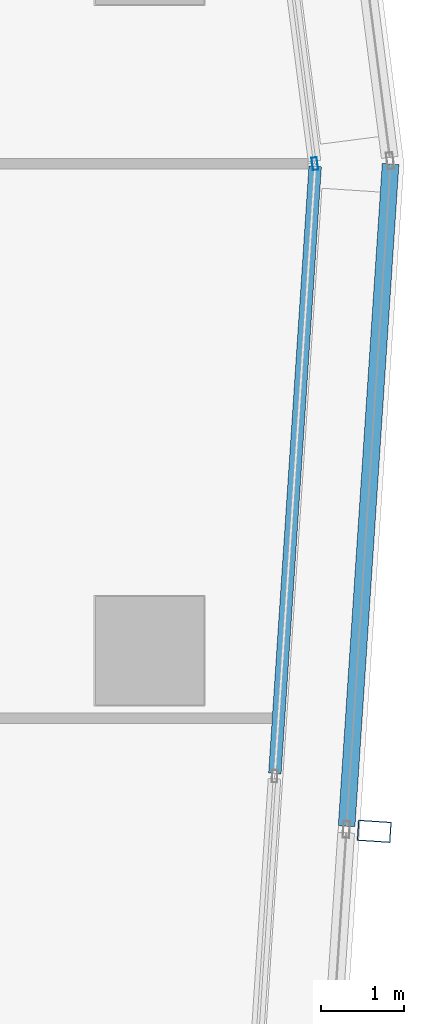
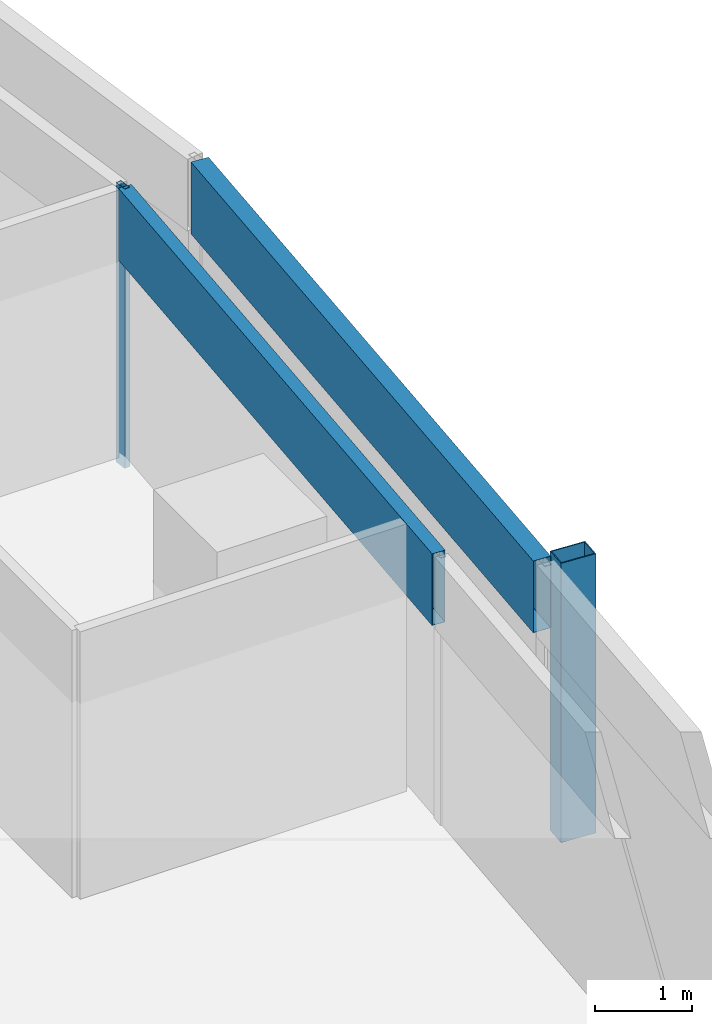
# One storey, part 13 of 30: 4 members, 3 elements without a shape of their own.
"""IFC4 building model written with IfcOpenShell, lengths in metres."""

from ifc_helpers import new_model, si_unit, direction, frame, origin, origin_2d, place, context, subcontext, project, spatial, hollow_rectangle, extrude, material, material_profile, profile_set, type_object, element, aggregate, save


model = new_model("IFC4")

# Units and contexts
model_context = context("Model", 3, precision=1e-05, world=origin(), true_north=direction((0.0, 1.0)))
body_context = subcontext(model_context, "Body", "Model", "MODEL_VIEW")
ifc_project = project(units=[si_unit("LENGTHUNIT", "METRE"), si_unit("AREAUNIT", "SQUARE_METRE"), si_unit("VOLUMEUNIT", "CUBIC_METRE"), si_unit("PLANEANGLEUNIT", "RADIAN"), si_unit("MASSUNIT", "GRAM", prefix="KILO")], contexts=[model_context])

# Site, building, storey
site_placement = place(None, origin())
site = spatial("IfcSite", under=ifc_project, at=site_placement, CompositionType="ELEMENT")
building_placement = place(site_placement, origin())
building = spatial("IfcBuilding", under=site, at=building_placement, Name="Rekha Terrace Tower", CompositionType="ELEMENT")
storey_placement = place(building_placement, frame((0.0, 0.0, 272.60009765625)))
storey = spatial("IfcBuildingStorey", under=building, at=storey_placement, Name="L69", CompositionType="ELEMENT", Elevation=272.60009765625)

# Curtain wall, member
ifc_material_1 = material(Name="Aluminium framing", Category="aluminium")
curtain_wall_type_1 = type_object("IfcCurtainWallType", Name="CW2 double skin outer glazing", PredefinedType="USERDEFINED", material=ifc_material_1)
curtain_wall_1_placement = place(storey_placement, origin())
curtain_wall_1 = element("IfcCurtainWall", 1, at=curtain_wall_1_placement, inside=storey, type_object=curtain_wall_type_1, Name="CW2 double skin outer glazing", ObjectType="DOUBLE SKIN OUTER GLAZING", PredefinedType="USERDEFINED")
ifc_material_2 = material(Name="Steel S355 with fluorocarbon finish", Category="steel")
ifc_material_profile_1 = material_profile(ifc_material_2, hollow_rectangle(XDim=0.25, YDim=0.39990234375, WallThickness=0.012451171875, at=origin_2d()), Name="RHS400x250x12.5")
ifc_profile_set_1 = profile_set([ifc_material_profile_1], Name="Steel S355 with fluorocarbon finish")
member_type_1 = type_object("IfcMemberType", Name="BL1 facade blade RHS 400 x 250", PredefinedType="USERDEFINED", material=ifc_profile_set_1)
member_1_placement = place(storey_placement, frame((61.49365234375, 31.435302734375, 0.0), z_axis=(0.0, 0.0, 1.0), x_axis=(0.066272158908, 0.99780158396, 0.0)))
member_1 = element("IfcMember", 2, at=member_1_placement, type_object=member_type_1, Name="Facade blade", ObjectType="FACADE BLADE", PredefinedType="USERDEFINED", context=body_context, shape_type="SweptSolid", body=[
    extrude(hollow_rectangle(XDim=0.25, YDim=0.39990234375, WallThickness=0.012451171875, at=origin_2d()), origin(), (0.0, 0.0, 1.0), 3.5),
])

curtain_wall_type_2 = type_object("IfcCurtainWallType", Name="CW1 double skin inner glazing", PredefinedType="USERDEFINED", material=ifc_material_1)
curtain_wall_2_placement = place(storey_placement, origin())
curtain_wall_2 = element("IfcCurtainWall", 3, at=curtain_wall_2_placement, inside=storey, type_object=curtain_wall_type_2, Name="CW1 double skin inner glazing", ObjectType="DOUBLE SKIN INNER GLAZING", PredefinedType="USERDEFINED")
ifc_material_3 = material(Name="Aluminium mullion section", Category="aluminium")
ifc_material_profile_2 = material_profile(ifc_material_3, hollow_rectangle(XDim=0.06494140625, YDim=0.14990234375, WallThickness=0.00390625, at=origin_2d()), Name="AL RHS 65x150")
ifc_profile_set_2 = profile_set([ifc_material_profile_2], Name="Aluminium mullion section")
member_type_2 = type_object("IfcMemberType", Name="CW1 mullion RHS 65 x 150", PredefinedType="MULLION", material=ifc_profile_set_2)
member_2_placement = place(storey_placement, frame((60.78125, 39.439208984375, 0.0), z_axis=(0.0, 0.0, 1.0), x_axis=(-0.991790949472, -0.127869904766, 0.0)))
member_2 = element("IfcMember", 4, at=member_2_placement, type_object=member_type_2, Name="CW1 mullion 1", PredefinedType="MULLION", context=body_context, shape_type="SweptSolid", body=[
    extrude(hollow_rectangle(XDim=0.06494140625, YDim=0.14990234375, WallThickness=0.00390625, at=origin_2d()), origin(), (0.0, 0.0, 1.0), 3.5),
])
aggregate(curtain_wall_2, [member_2])

curtain_wall_3_placement = place(storey_placement, origin())
curtain_wall_3 = element("IfcCurtainWall", 5, at=curtain_wall_3_placement, inside=storey, type_object=curtain_wall_type_2, Name="CW1 double skin inner glazing", ObjectType="DOUBLE SKIN INNER GLAZING", PredefinedType="USERDEFINED")
ifc_material_4 = material(Name="Insulated aluminium spandrel box", Category="aluminium")
ifc_material_profile_3 = material_profile(ifc_material_4, hollow_rectangle(XDim=0.14990234375, YDim=0.89990234375, WallThickness=0.0029296875, at=origin_2d()), Name="AL SPANDREL BOX 150x900")
ifc_profile_set_3 = profile_set([ifc_material_profile_3], Name="Insulated aluminium spandrel box")
member_type_3 = type_object("IfcMemberType", Name="CW1 spandrel transom 150 x 900", PredefinedType="USERDEFINED", material=ifc_profile_set_3)
member_3_placement = place(storey_placement, frame((60.302001953125, 32.129150390625, 3.0498046875), z_axis=(0.066274633038, 0.99780141963, 0.0), x_axis=(-0.99780141963, 0.066274633038, 0.0)))
member_3 = element("IfcMember", 6, at=member_3_placement, type_object=member_type_3, Name="CW1 spandrel transom 3", ObjectType="TRANSOM", PredefinedType="USERDEFINED", context=body_context, shape_type="SweptSolid", body=[
    extrude(hollow_rectangle(XDim=0.14990234375, YDim=0.89990234375, WallThickness=0.0029296875, at=origin_2d()), origin(), (0.0, 0.0, 1.0), 7.2939453125),
])
aggregate(curtain_wall_3, [member_3])

# Member
ifc_material_profile_4 = material_profile(ifc_material_4, hollow_rectangle(XDim=0.199951171875, YDim=0.89990234375, WallThickness=0.0029296875, at=origin_2d()), Name="AL SPANDREL BOX 200x900")
ifc_profile_set_4 = profile_set([ifc_material_profile_4], Name="Insulated aluminium spandrel box")
member_type_4 = type_object("IfcMemberType", Name="CW2 spandrel transom 200 x 900", PredefinedType="USERDEFINED", material=ifc_profile_set_4)
member_4_placement = place(storey_placement, frame((61.162109375, 31.497314453125, 3.0498046875), z_axis=(0.066258284658, 0.997802505366, 0.0), x_axis=(-0.997802505366, 0.066258284658, 0.0)))
member_4 = element("IfcMember", 7, at=member_4_placement, type_object=member_type_4, Name="CW2 spandrel transom 3", ObjectType="TRANSOM", PredefinedType="USERDEFINED", context=body_context, shape_type="SweptSolid", body=[
    extrude(hollow_rectangle(XDim=0.199951171875, YDim=0.89990234375, WallThickness=0.0029296875, at=origin_2d()), origin(), (0.0, 0.0, 1.0), 7.955322265625),
])

aggregate(curtain_wall_1, [member_4, member_1])

save(model, "model.ifc")
